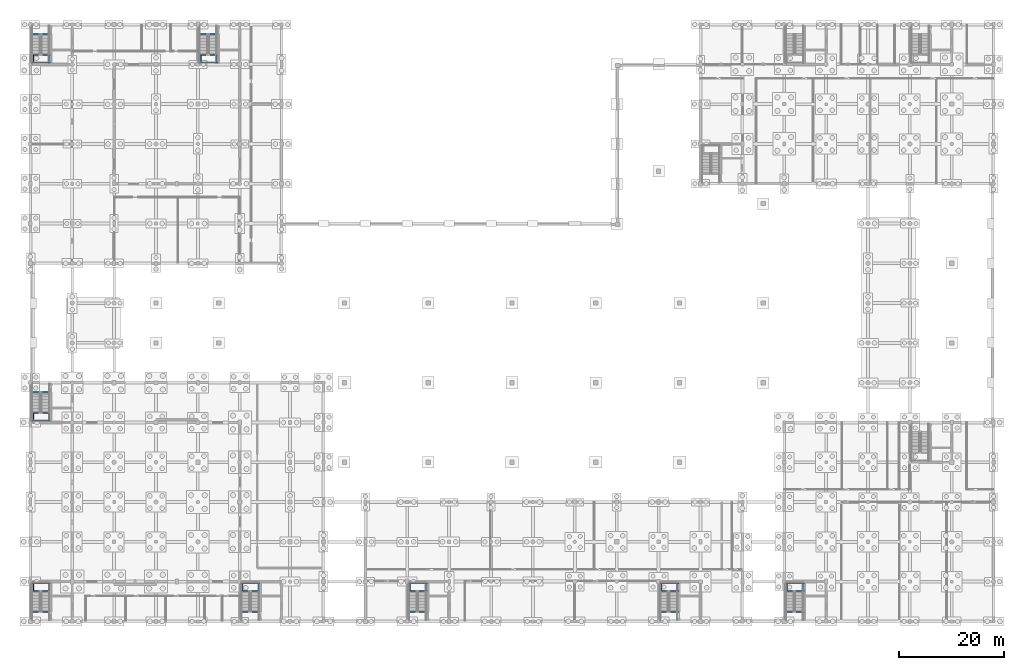
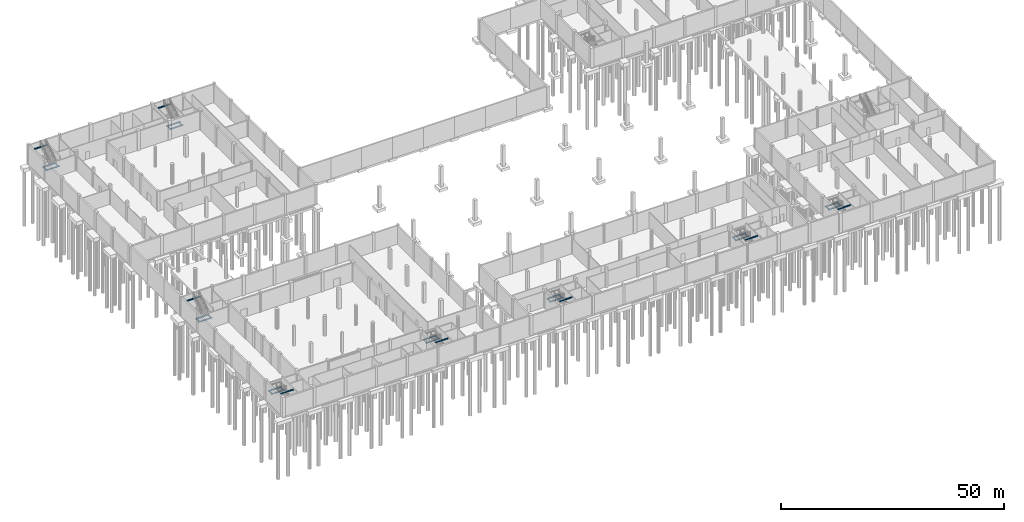
# One storey, part 20 of 44: 40 beams.
"""IFC4 building model written with IfcOpenShell, lengths in metres."""

from ifc_helpers import new_model, si_unit, direction, frame, origin, origin_2d, place, context, subcontext, project, spatial, i_section, extrude, material, material_profile, profile_set, type_object, element, save


model = new_model("IFC4")

# Units and contexts
model_context = context("Model", 3, precision=1e-05, world=origin(), true_north=direction((0.0, 1.0)))
body_context = subcontext(model_context, "Body", "Model", "MODEL_VIEW")
ifc_project = project(units=[si_unit("LENGTHUNIT", "METRE"), si_unit("AREAUNIT", "SQUARE_METRE"), si_unit("VOLUMEUNIT", "CUBIC_METRE"), si_unit("PLANEANGLEUNIT", "RADIAN"), si_unit("MASSUNIT", "GRAM", prefix="KILO")], contexts=[model_context])

# Site, building, storey
site_placement = place(None, origin())
site = spatial("IfcSite", under=ifc_project, at=site_placement, CompositionType="ELEMENT")
building_placement = place(site_placement, origin())
building = spatial("IfcBuilding", under=site, at=building_placement, Name="Khelvaren Railside Concert Hall", CompositionType="ELEMENT")
storey_placement = place(building_placement, frame((0.0, 0.0, -5.39990234375)))
storey = spatial("IfcBuildingStorey", under=building, at=storey_placement, Name="B1", CompositionType="ELEMENT", Elevation=-5.39990234375)

# Beams
ifc_material = material(Name="Steel S355", Category="steel")
ifc_material_profile_1 = material_profile(ifc_material, i_section(OverallWidth=0.110107421875, OverallDepth=0.219970703125, WebThickness=0.005859375, FlangeThickness=0.00927734375, FilletRadius=0.011962890625, at=origin_2d()), Name="IPE 220")
ifc_profile_set_1 = profile_set([ifc_material_profile_1], Name="Steel S355")
beam_type_1 = type_object("IfcBeamType", Name="BM87", PredefinedType="BEAM", material=ifc_profile_set_1)
for number, where, z_axis, x_axis, name in (
    (1, (0.344970703125, 5.824951171875, 2.389892578125), (1.0, 0.0, 0.0), (0.0, 1.0, 0.0), "ST-01 B1 Half-Landing Front Beam"),
    (2, (0.344970703125, 7.239990234375, 2.389892578125), (1.0, 0.0, 0.0), (0.0, 1.0, 0.0), "ST-01 B1 Half-Landing Rear Beam"),
):
    element("IfcBeam", number, at=place(storey_placement, frame(where, z_axis=z_axis, x_axis=x_axis)), inside=storey, type_object=beam_type_1, Name=name, PredefinedType="BEAM", context=body_context, shape_type="SweptSolid", body=[
        extrude(i_section(OverallWidth=0.110107421875, OverallDepth=0.219970703125, WebThickness=0.005859375, FlangeThickness=0.00927734375, FilletRadius=0.011962890625, at=origin_2d()), origin(), (0.0, 0.0, 1.0), 3.4951171875),
    ])
for number, where, z_axis, x_axis, name in (
    (3, (0.550048828125, 5.8798828125, 2.389892578125), (0.0, 1.0, 0.0), (-1.0, 0.0, 0.0), "ST-01 B1 Half-Landing Side Tie W"),
    (4, (3.550048828125, 5.8798828125, 2.389892578125), (0.0, 1.0, 0.0), (-1.0, 0.0, 0.0), "ST-01 B1 Half-Landing Side Tie E"),
):
    element("IfcBeam", number, at=place(storey_placement, frame(where, z_axis=z_axis, x_axis=x_axis)), inside=storey, type_object=beam_type_1, Name=name, PredefinedType="BEAM", context=body_context, shape_type="SweptSolid", body=[
        extrude(i_section(OverallWidth=0.110107421875, OverallDepth=0.219970703125, WebThickness=0.005859375, FlangeThickness=0.00927734375, FilletRadius=0.011962890625, at=origin_2d()), origin(), (0.0, 0.0, 1.0), 1.30517578125),
    ])
for number, where, z_axis, x_axis, name in (
    (5, (40.344970703125, 5.824951171875, 2.389892578125), (1.0, 0.0, 0.0), (0.0, 1.0, 0.0), "ST-02 B1 Half-Landing Front Beam"),
    (6, (40.344970703125, 7.239990234375, 2.389892578125), (1.0, 0.0, 0.0), (0.0, 1.0, 0.0), "ST-02 B1 Half-Landing Rear Beam"),
):
    element("IfcBeam", number, at=place(storey_placement, frame(where, z_axis=z_axis, x_axis=x_axis)), inside=storey, type_object=beam_type_1, Name=name, PredefinedType="BEAM", context=body_context, shape_type="SweptSolid", body=[
        extrude(i_section(OverallWidth=0.110107421875, OverallDepth=0.219970703125, WebThickness=0.005859375, FlangeThickness=0.00927734375, FilletRadius=0.011962890625, at=origin_2d()), origin(), (0.0, 0.0, 1.0), 3.4951171875),
    ])
for number, where, z_axis, x_axis, name in (
    (7, (40.550048828125, 5.8798828125, 2.389892578125), (0.0, 1.0, 0.0), (-1.0, 0.0, 0.0), "ST-02 B1 Half-Landing Side Tie W"),
    (8, (43.550048828125, 5.8798828125, 2.389892578125), (0.0, 1.0, 0.0), (-1.0, 0.0, 0.0), "ST-02 B1 Half-Landing Side Tie E"),
):
    element("IfcBeam", number, at=place(storey_placement, frame(where, z_axis=z_axis, x_axis=x_axis)), inside=storey, type_object=beam_type_1, Name=name, PredefinedType="BEAM", context=body_context, shape_type="SweptSolid", body=[
        extrude(i_section(OverallWidth=0.110107421875, OverallDepth=0.219970703125, WebThickness=0.005859375, FlangeThickness=0.00927734375, FilletRadius=0.011962890625, at=origin_2d()), origin(), (0.0, 0.0, 1.0), 1.30517578125),
    ])
for number, where, z_axis, x_axis, name in (
    (9, (0.344970703125, 39.77490234375, 2.389892578125), (1.0, 0.0, 0.0), (0.0, 1.0, 0.0), "ST-11 B1 Half-Landing Front Beam"),
    (10, (0.344970703125, 38.360107421875, 2.389892578125), (1.0, 0.0, 0.0), (0.0, 1.0, 0.0), "ST-11 B1 Half-Landing Rear Beam"),
):
    element("IfcBeam", number, at=place(storey_placement, frame(where, z_axis=z_axis, x_axis=x_axis)), inside=storey, type_object=beam_type_1, Name=name, PredefinedType="BEAM", context=body_context, shape_type="SweptSolid", body=[
        extrude(i_section(OverallWidth=0.110107421875, OverallDepth=0.219970703125, WebThickness=0.005859375, FlangeThickness=0.00927734375, FilletRadius=0.011962890625, at=origin_2d()), origin(), (0.0, 0.0, 1.0), 3.4951171875),
    ])
for number, where, z_axis, x_axis, name in (
    (11, (0.550048828125, 38.4150390625, 2.389892578125), (0.0, 1.0, 0.0), (-1.0, 0.0, 0.0), "ST-11 B1 Half-Landing Side Tie W"),
    (12, (3.550048828125, 38.4150390625, 2.389892578125), (0.0, 1.0, 0.0), (-1.0, 0.0, 0.0), "ST-11 B1 Half-Landing Side Tie E"),
):
    element("IfcBeam", number, at=place(storey_placement, frame(where, z_axis=z_axis, x_axis=x_axis)), inside=storey, type_object=beam_type_1, Name=name, PredefinedType="BEAM", context=body_context, shape_type="SweptSolid", body=[
        extrude(i_section(OverallWidth=0.110107421875, OverallDepth=0.219970703125, WebThickness=0.005859375, FlangeThickness=0.00927734375, FilletRadius=0.011962890625, at=origin_2d()), origin(), (0.0, 0.0, 1.0), 1.304931640625),
    ])
for number, where, z_axis, x_axis, name in (
    (13, (144.344970703125, 5.824951171875, 2.389892578125), (1.0, 0.0, 0.0), (0.0, 1.0, 0.0), "ST-03 B1 Half-Landing Front Beam"),
    (14, (144.344970703125, 7.239990234375, 2.389892578125), (1.0, 0.0, 0.0), (0.0, 1.0, 0.0), "ST-03 B1 Half-Landing Rear Beam"),
):
    element("IfcBeam", number, at=place(storey_placement, frame(where, z_axis=z_axis, x_axis=x_axis)), inside=storey, type_object=beam_type_1, Name=name, PredefinedType="BEAM", context=body_context, shape_type="SweptSolid", body=[
        extrude(i_section(OverallWidth=0.110107421875, OverallDepth=0.219970703125, WebThickness=0.005859375, FlangeThickness=0.00927734375, FilletRadius=0.011962890625, at=origin_2d()), origin(), (0.0, 0.0, 1.0), 3.4951171875),
    ])
for number, where, z_axis, x_axis, name in (
    (15, (144.550048828125, 5.8798828125, 2.389892578125), (0.0, 1.0, 0.0), (-1.0, 0.0, 0.0), "ST-03 B1 Half-Landing Side Tie W"),
    (16, (147.550048828125, 5.8798828125, 2.389892578125), (0.0, 1.0, 0.0), (-1.0, 0.0, 0.0), "ST-03 B1 Half-Landing Side Tie E"),
):
    element("IfcBeam", number, at=place(storey_placement, frame(where, z_axis=z_axis, x_axis=x_axis)), inside=storey, type_object=beam_type_1, Name=name, PredefinedType="BEAM", context=body_context, shape_type="SweptSolid", body=[
        extrude(i_section(OverallWidth=0.110107421875, OverallDepth=0.219970703125, WebThickness=0.005859375, FlangeThickness=0.00927734375, FilletRadius=0.011962890625, at=origin_2d()), origin(), (0.0, 0.0, 1.0), 1.30517578125),
    ])
for number, where, z_axis, x_axis, name in (
    (17, (72.344970703125, 5.824951171875, 2.389892578125), (1.0, 0.0, 0.0), (0.0, 1.0, 0.0), "ST-05 B1 Half-Landing Front Beam"),
    (18, (72.344970703125, 7.239990234375, 2.389892578125), (1.0, 0.0, 0.0), (0.0, 1.0, 0.0), "ST-05 B1 Half-Landing Rear Beam"),
):
    element("IfcBeam", number, at=place(storey_placement, frame(where, z_axis=z_axis, x_axis=x_axis)), inside=storey, type_object=beam_type_1, Name=name, PredefinedType="BEAM", context=body_context, shape_type="SweptSolid", body=[
        extrude(i_section(OverallWidth=0.110107421875, OverallDepth=0.219970703125, WebThickness=0.005859375, FlangeThickness=0.00927734375, FilletRadius=0.011962890625, at=origin_2d()), origin(), (0.0, 0.0, 1.0), 3.4951171875),
    ])
for number, where, z_axis, x_axis, name in (
    (19, (72.550048828125, 5.8798828125, 2.389892578125), (0.0, 1.0, 0.0), (-1.0, 0.0, 0.0), "ST-05 B1 Half-Landing Side Tie W"),
    (20, (75.550048828125, 5.8798828125, 2.389892578125), (0.0, 1.0, 0.0), (-1.0, 0.0, 0.0), "ST-05 B1 Half-Landing Side Tie E"),
):
    element("IfcBeam", number, at=place(storey_placement, frame(where, z_axis=z_axis, x_axis=x_axis)), inside=storey, type_object=beam_type_1, Name=name, PredefinedType="BEAM", context=body_context, shape_type="SweptSolid", body=[
        extrude(i_section(OverallWidth=0.110107421875, OverallDepth=0.219970703125, WebThickness=0.005859375, FlangeThickness=0.00927734375, FilletRadius=0.011962890625, at=origin_2d()), origin(), (0.0, 0.0, 1.0), 1.30517578125),
    ])
for number, where, z_axis, x_axis, name in (
    (21, (120.344970703125, 5.824951171875, 2.389892578125), (1.0, 0.0, 0.0), (0.0, 1.0, 0.0), "ST-06 B1 Half-Landing Front Beam"),
    (22, (120.344970703125, 7.239990234375, 2.389892578125), (1.0, 0.0, 0.0), (0.0, 1.0, 0.0), "ST-06 B1 Half-Landing Rear Beam"),
):
    element("IfcBeam", number, at=place(storey_placement, frame(where, z_axis=z_axis, x_axis=x_axis)), inside=storey, type_object=beam_type_1, Name=name, PredefinedType="BEAM", context=body_context, shape_type="SweptSolid", body=[
        extrude(i_section(OverallWidth=0.110107421875, OverallDepth=0.219970703125, WebThickness=0.005859375, FlangeThickness=0.00927734375, FilletRadius=0.011962890625, at=origin_2d()), origin(), (0.0, 0.0, 1.0), 3.4951171875),
    ])
for number, where, z_axis, x_axis, name in (
    (23, (120.550048828125, 5.8798828125, 2.389892578125), (0.0, 1.0, 0.0), (-1.0, 0.0, 0.0), "ST-06 B1 Half-Landing Side Tie W"),
    (24, (123.550048828125, 5.8798828125, 2.389892578125), (0.0, 1.0, 0.0), (-1.0, 0.0, 0.0), "ST-06 B1 Half-Landing Side Tie E"),
):
    element("IfcBeam", number, at=place(storey_placement, frame(where, z_axis=z_axis, x_axis=x_axis)), inside=storey, type_object=beam_type_1, Name=name, PredefinedType="BEAM", context=body_context, shape_type="SweptSolid", body=[
        extrude(i_section(OverallWidth=0.110107421875, OverallDepth=0.219970703125, WebThickness=0.005859375, FlangeThickness=0.00927734375, FilletRadius=0.011962890625, at=origin_2d()), origin(), (0.0, 0.0, 1.0), 1.30517578125),
    ])
for number, where, z_axis, x_axis, name in (
    (25, (0.344970703125, 108.175048828125, 2.389892578125), (1.0, 0.0, 0.0), (0.0, 1.0, 0.0), "ST-07 B1 Half-Landing Front Beam"),
    (26, (0.344970703125, 106.760009765625, 2.389892578125), (1.0, 0.0, 0.0), (0.0, 1.0, 0.0), "ST-07 B1 Half-Landing Rear Beam"),
):
    element("IfcBeam", number, at=place(storey_placement, frame(where, z_axis=z_axis, x_axis=x_axis)), inside=storey, type_object=beam_type_1, Name=name, PredefinedType="BEAM", context=body_context, shape_type="SweptSolid", body=[
        extrude(i_section(OverallWidth=0.110107421875, OverallDepth=0.219970703125, WebThickness=0.005859375, FlangeThickness=0.00927734375, FilletRadius=0.011962890625, at=origin_2d()), origin(), (0.0, 0.0, 1.0), 3.4951171875),
    ])
for number, where, z_axis, x_axis, name in (
    (27, (0.550048828125, 106.81494140625, 2.389892578125), (0.0, 1.0, 0.0), (-1.0, 0.0, 0.0), "ST-07 B1 Half-Landing Side Tie W"),
    (28, (3.550048828125, 106.81494140625, 2.389892578125), (0.0, 1.0, 0.0), (-1.0, 0.0, 0.0), "ST-07 B1 Half-Landing Side Tie E"),
):
    element("IfcBeam", number, at=place(storey_placement, frame(where, z_axis=z_axis, x_axis=x_axis)), inside=storey, type_object=beam_type_1, Name=name, PredefinedType="BEAM", context=body_context, shape_type="SweptSolid", body=[
        extrude(i_section(OverallWidth=0.110107421875, OverallDepth=0.219970703125, WebThickness=0.005859375, FlangeThickness=0.00927734375, FilletRadius=0.011962890625, at=origin_2d()), origin(), (0.0, 0.0, 1.0), 1.30517578125),
    ])
for number, where, z_axis, x_axis, name in (
    (29, (32.344970703125, 108.175048828125, 2.389892578125), (1.0, 0.0, 0.0), (0.0, 1.0, 0.0), "ST-08 B1 Half-Landing Front Beam"),
    (30, (32.344970703125, 106.760009765625, 2.389892578125), (1.0, 0.0, 0.0), (0.0, 1.0, 0.0), "ST-08 B1 Half-Landing Rear Beam"),
):
    element("IfcBeam", number, at=place(storey_placement, frame(where, z_axis=z_axis, x_axis=x_axis)), inside=storey, type_object=beam_type_1, Name=name, PredefinedType="BEAM", context=body_context, shape_type="SweptSolid", body=[
        extrude(i_section(OverallWidth=0.110107421875, OverallDepth=0.219970703125, WebThickness=0.005859375, FlangeThickness=0.00927734375, FilletRadius=0.011962890625, at=origin_2d()), origin(), (0.0, 0.0, 1.0), 3.4951171875),
    ])
for number, where, z_axis, x_axis, name in (
    (31, (32.550048828125, 106.81494140625, 2.389892578125), (0.0, 1.0, 0.0), (-1.0, 0.0, 0.0), "ST-08 B1 Half-Landing Side Tie W"),
    (32, (35.550048828125, 106.81494140625, 2.389892578125), (0.0, 1.0, 0.0), (-1.0, 0.0, 0.0), "ST-08 B1 Half-Landing Side Tie E"),
):
    element("IfcBeam", number, at=place(storey_placement, frame(where, z_axis=z_axis, x_axis=x_axis)), inside=storey, type_object=beam_type_1, Name=name, PredefinedType="BEAM", context=body_context, shape_type="SweptSolid", body=[
        extrude(i_section(OverallWidth=0.110107421875, OverallDepth=0.219970703125, WebThickness=0.005859375, FlangeThickness=0.00927734375, FilletRadius=0.011962890625, at=origin_2d()), origin(), (0.0, 0.0, 1.0), 1.30517578125),
    ])
ifc_material_profile_2 = material_profile(ifc_material, i_section(OverallWidth=0.280029296875, OverallDepth=0.27001953125, WebThickness=0.008056640625, FlangeThickness=0.012939453125, FilletRadius=0.02392578125, at=origin_2d()), Name="HEA 280")
ifc_profile_set_2 = profile_set([ifc_material_profile_2], Name="Steel S355")
beam_type_2 = type_object("IfcBeamType", Name="BM93", PredefinedType="BEAM", material=ifc_profile_set_2)
for number, where, z_axis, x_axis, name in (
    (33, (0.344970703125, 1.860107421875, 4.906494140625), (1.0, 0.0, 0.0), (0.0, 1.0, 0.0), "ST-01 B1 Stair Top Arrival Trimmer Beam"),
    (34, (40.344970703125, 1.860107421875, 4.906494140625), (1.0, 0.0, 0.0), (0.0, 1.0, 0.0), "ST-02 B1 Stair Top Arrival Trimmer Beam"),
    (35, (0.344970703125, 43.739990234375, 4.906494140625), (1.0, 0.0, 0.0), (0.0, 1.0, 0.0), "ST-11 B1 Stair Top Arrival Trimmer Beam"),
    (36, (144.344970703125, 1.860107421875, 4.906494140625), (1.0, 0.0, 0.0), (0.0, 1.0, 0.0), "ST-03 B1 Stair Top Arrival Trimmer Beam"),
    (37, (72.344970703125, 1.860107421875, 4.906494140625), (1.0, 0.0, 0.0), (0.0, 1.0, 0.0), "ST-05 B1 Stair Top Arrival Trimmer Beam"),
    (38, (120.344970703125, 1.860107421875, 4.906494140625), (1.0, 0.0, 0.0), (0.0, 1.0, 0.0), "ST-06 B1 Stair Top Arrival Trimmer Beam"),
    (39, (0.344970703125, 112.139892578125, 4.906494140625), (1.0, 0.0, 0.0), (0.0, 1.0, 0.0), "ST-07 B1 Stair Top Arrival Trimmer Beam"),
    (40, (32.344970703125, 112.139892578125, 4.906494140625), (1.0, 0.0, 0.0), (0.0, 1.0, 0.0), "ST-08 B1 Stair Top Arrival Trimmer Beam"),
):
    element("IfcBeam", number, at=place(storey_placement, frame(where, z_axis=z_axis, x_axis=x_axis)), inside=storey, type_object=beam_type_2, Name=name, PredefinedType="BEAM", context=body_context, shape_type="SweptSolid", body=[
        extrude(i_section(OverallWidth=0.280029296875, OverallDepth=0.27001953125, WebThickness=0.008056640625, FlangeThickness=0.012939453125, FilletRadius=0.02392578125, at=origin_2d()), origin(), (0.0, 0.0, 1.0), 3.4951171875),
    ])

save(model, "model.ifc")
